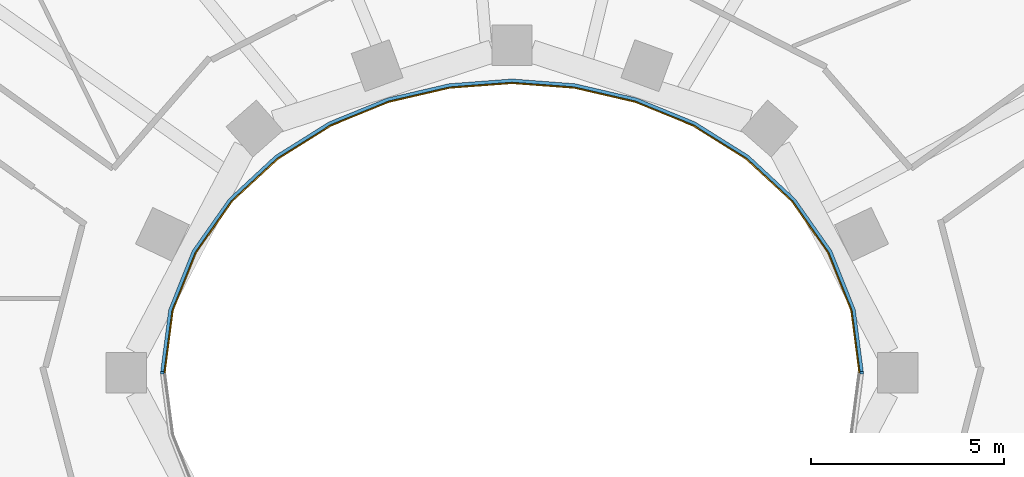
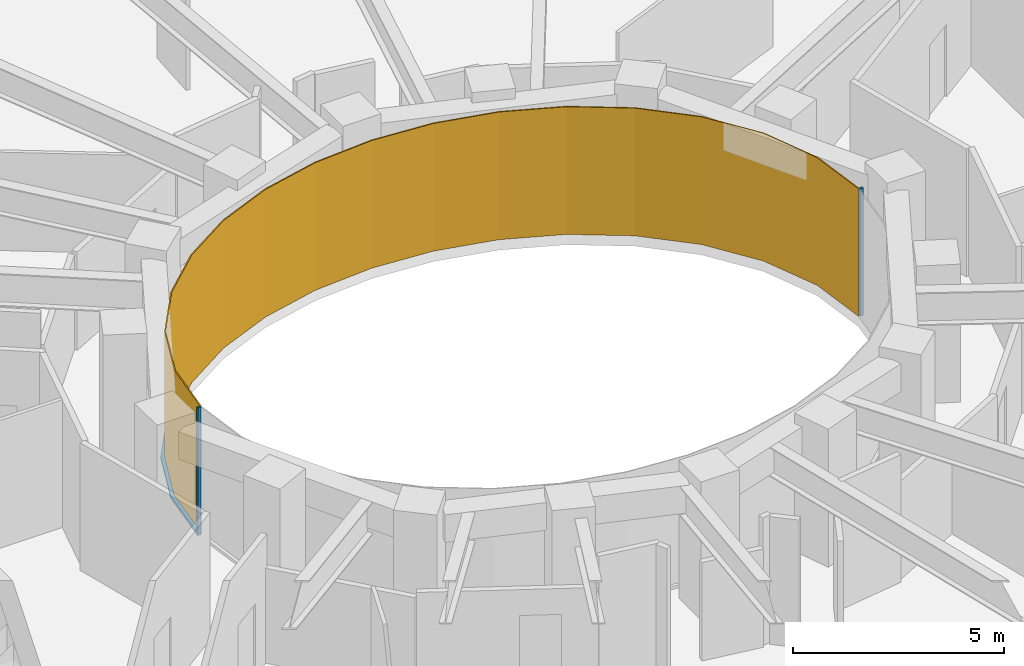
# One storey, part 12 of 16: 3 members, 1 curtain wall.
"""IFC4 building model written with IfcOpenShell, lengths in metres."""

from ifc_helpers import new_model, si_unit, direction, frame, origin, origin_2d, place, context, subcontext, project, spatial, polyline, rectangle, outline, extrude, material, layer, layer_set, material_profile, profile_set, type_object, element, aggregate, save


model = new_model("IFC4")

# Units and contexts
model_context = context("Model", 3, precision=1e-05, world=origin(), true_north=direction((0.0, 1.0)))
body_context = subcontext(model_context, "Body", "Model", "MODEL_VIEW")
ifc_project = project(units=[si_unit("LENGTHUNIT", "METRE"), si_unit("AREAUNIT", "SQUARE_METRE"), si_unit("VOLUMEUNIT", "CUBIC_METRE"), si_unit("PLANEANGLEUNIT", "RADIAN"), si_unit("MASSUNIT", "GRAM", prefix="KILO")], contexts=[model_context])

# Member
ifc_material_1 = material(Name="Steel S355 fire-resisting frame", Category="steel")
ifc_material_profile = material_profile(ifc_material_1, rectangle(XDim=0.090087890625, YDim=0.06005859375, at=origin_2d()), Name="90x60")
ifc_profile_set = profile_set([ifc_material_profile], Name="Steel S355 fire-resisting frame")
member_type_1 = type_object("IfcMemberType", Name="ENV-MULLION-W-90", PredefinedType="MULLION", material=ifc_profile_set)
site_placement = place(None, origin())
building_placement = place(site_placement, origin())
storey_placement = place(building_placement, frame((0.0, 0.0, 186.0)))
member_1_placement = place(storey_placement, frame((9.076904296875, 0.0, 0.0), z_axis=(0.0, 0.0, 1.0), x_axis=(1.0, 0.0, 0.0)))
member_1 = element("IfcMember", 1, at=member_1_placement, type_object=member_type_1, Name="Mullion W well vertex 01", PredefinedType="MULLION", context=body_context, shape_type="SweptSolid", body=[
    extrude(rectangle(XDim=0.090087890625, YDim=0.06005859375, at=origin_2d()), origin(), (0.0, 0.0, 1.0), 3.699951171875),
])

member_2_placement = place(storey_placement, frame((-9.076904296875, 0.0, 0.0), z_axis=(0.0, 0.0, 1.0), x_axis=(-1.0, 0.0, 0.0)))
member_2 = element("IfcMember", 2, at=member_2_placement, type_object=member_type_1, Name="Mullion W well vertex 17", PredefinedType="MULLION", context=body_context, shape_type="SweptSolid", body=[
    extrude(rectangle(XDim=0.090087890625, YDim=0.06005859375, at=origin_2d()), origin(), (0.0, 0.0, 1.0), 3.699951171875),
])

ifc_material_2 = material(Name="Steel S355 fire-resisting frame", Category="steel")
member_type_2 = type_object("IfcMemberType", Name="ENV-TRANSOM-W", PredefinedType="USERDEFINED", material=ifc_material_2)
member_3_placement = place(storey_placement, origin())
member_3 = element("IfcMember", 3, at=member_3_placement, type_object=member_type_2, Name="Transom W well 01-17", ObjectType="TRANSOM", PredefinedType="USERDEFINED", context=body_context, shape_type="SweptSolid", body=[
    extrude(outline(polyline([(9.119384765625, 0.02783203125), (8.910400390625, 1.63623046875), (8.29833984375, 3.167236328125), (7.35107421875, 4.5146484375), (6.1455078125, 5.6337890625), (4.75341796875, 6.50634765625), (3.233642578125, 7.127685546875), (1.635498046875, 7.498779296875), (0.0, 7.622314453125), (-1.635498046875, 7.498779296875), (-3.233642578125, 7.127685546875), (-4.75341796875, 6.50634765625), (-6.1455078125, 5.6337890625), (-7.35107421875, 4.5146484375), (-8.29833984375, 3.167236328125), (-8.910400390625, 1.63623046875), (-9.119384765625, 0.02783203125), (-9.02880859375, 0.02783203125), (-8.822509765625, 1.61328125), (-8.21875, 3.124267578125), (-7.282958984375, 4.455078125), (-6.090576171875, 5.56201171875), (-4.712158203125, 6.426025390625), (-3.206298828125, 7.04150390625), (-1.621826171875, 7.40966796875), (0.0, 7.531982421875), (1.621826171875, 7.40966796875), (3.206298828125, 7.04150390625), (4.712158203125, 6.426025390625), (6.090576171875, 5.56201171875), (7.282958984375, 4.455078125), (8.21875, 3.124267578125), (8.822509765625, 1.61328125), (9.02880859375, 0.02783203125), (9.119384765625, 0.02783203125)])), origin(), (0.0, 0.0, 1.0), 0.080078125),
])

# Site, building, storey
site = spatial("IfcSite", under=ifc_project, at=site_placement, CompositionType="ELEMENT")
building = spatial("IfcBuilding", under=site, at=building_placement, Name="Noorbagh Ring Tower", CompositionType="ELEMENT")
storey = spatial("IfcBuildingStorey", under=building, at=storey_placement, Name="L43", CompositionType="ELEMENT", Elevation=186.0)

# Curtain wall
ifc_material_3 = material(Name="Glass fire-resisting E60 laminated", Category="glass")
ifc_layer = layer(ifc_material_3, 0.031982421875)
ifc_layer_set = layer_set([ifc_layer], Name="Glass fire-resisting E60 laminated")
curtain_wall_type = type_object("IfcCurtainWallType", Name="ENV-CW-W", PredefinedType="NOTDEFINED", material=ifc_layer_set)
curtain_wall_placement = place(storey_placement, origin())
curtain_wall = element("IfcCurtainWall", 4, at=curtain_wall_placement, inside=storey, type_object=curtain_wall_type, Name="Curtain wall W W01", PredefinedType="NOTDEFINED", context=body_context, shape_type="SweptSolid", body=[
    extrude(outline(polyline([(9.0322265625, 0.0), (8.822509765625, 1.61328125), (8.21875, 3.124267578125), (7.282958984375, 4.455078125), (6.090576171875, 5.56201171875), (4.712158203125, 6.426025390625), (3.206298828125, 7.04150390625), (1.621826171875, 7.40966796875), (0.0, 7.531982421875), (-1.621826171875, 7.40966796875), (-3.206298828125, 7.04150390625), (-4.712158203125, 6.426025390625), (-6.090576171875, 5.56201171875), (-7.282958984375, 4.455078125), (-8.21875, 3.124267578125), (-8.822509765625, 1.61328125), (-9.0322265625, 0.0), (-9.0, 0.0), (-8.79150390625, 1.605224609375), (-8.1904296875, 3.10888671875), (-7.2587890625, 4.43408203125), (-6.071044921875, 5.53662109375), (-4.697509765625, 6.3974609375), (-3.196533203125, 7.010986328125), (-1.6171875, 7.3779296875), (0.0, 7.5), (1.6171875, 7.3779296875), (3.196533203125, 7.010986328125), (4.697509765625, 6.3974609375), (6.071044921875, 5.53662109375), (7.2587890625, 4.43408203125), (8.1904296875, 3.10888671875), (8.79150390625, 1.605224609375), (9.0, 0.0), (9.0322265625, 0.0)])), origin(), (0.0, 0.0, 1.0), 3.699951171875),
])

aggregate(curtain_wall, [member_1, member_2, member_3])

save(model, "model.ifc")
